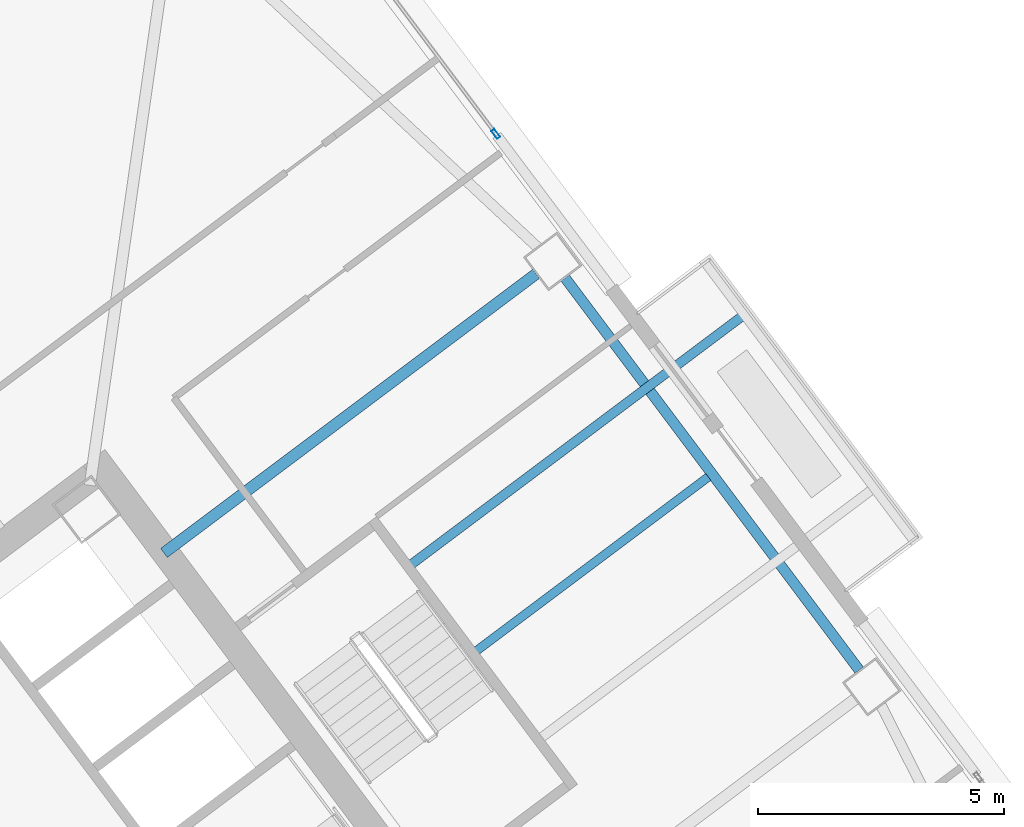
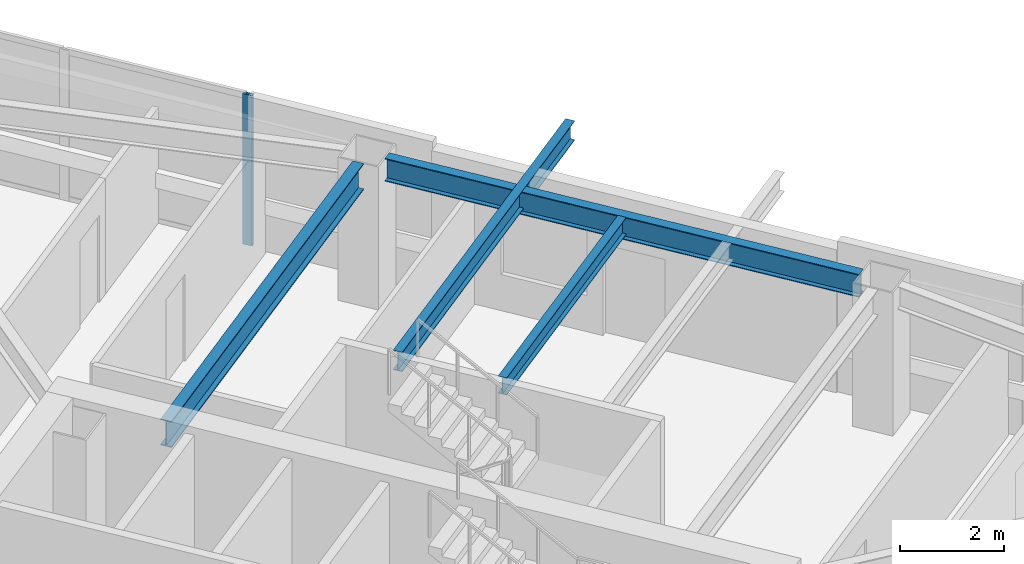
# One storey, part 30 of 44: 4 beams, 1 member, 1 element without a shape of its own.
"""IFC4 building model written with IfcOpenShell, lengths in metres."""

from ifc_helpers import new_model, si_unit, direction, frame, origin, origin_2d, place, context, subcontext, project, spatial, hollow_rectangle, i_section, extrude, material, material_profile, profile_set, type_object, element, aggregate, save


model = new_model("IFC4")

# Units and contexts
model_context = context("Model", 3, precision=1e-05, world=origin(), true_north=direction((0.0, 1.0)))
body_context = subcontext(model_context, "Body", "Model", "MODEL_VIEW")
ifc_project = project(units=[si_unit("LENGTHUNIT", "METRE"), si_unit("AREAUNIT", "SQUARE_METRE"), si_unit("VOLUMEUNIT", "CUBIC_METRE"), si_unit("PLANEANGLEUNIT", "RADIAN"), si_unit("MASSUNIT", "GRAM", prefix="KILO")], contexts=[model_context])

# Site, building, storey
site_placement = place(None, origin())
site = spatial("IfcSite", under=ifc_project, at=site_placement, CompositionType="ELEMENT")
building_placement = place(site_placement, origin())
building = spatial("IfcBuilding", under=site, at=building_placement, Name="Tashvorn Skyway Center", CompositionType="ELEMENT")
storey_placement = place(building_placement, frame((0.0, 0.0, 128.60009765625)))
storey = spatial("IfcBuildingStorey", under=building, at=storey_placement, Name="L34", CompositionType="ELEMENT", Elevation=128.60009765625)

# Beams
ifc_material_1 = material(Name="Steel ASTM A992 Grade 50", Category="steel")
ifc_material_profile_1 = material_profile(ifc_material_1, i_section(OverallWidth=0.22998046875, OverallDepth=0.616943359375, WebThickness=0.01318359375, FlangeThickness=0.022216796875, at=origin_2d()), Name="W24X94")
ifc_profile_set_1 = profile_set([ifc_material_profile_1], Name="Steel ASTM A992 Grade 50")
beam_type_1 = type_object("IfcBeamType", Name="BM-BEAM-W24X94", PredefinedType="BEAM", material=ifc_profile_set_1)
beam_1_placement = place(storey_placement, frame((124.5439453125, 46.657958984375, 3.0615234375), z_axis=(-0.800006200354, -0.599991732772, 0.0), x_axis=(0.599991732772, -0.800006200354, 0.0)))
element("IfcBeam", 1, at=beam_1_placement, inside=storey, type_object=beam_type_1, Name="Tower 2 L34 Primary Floor Girder FC-E2", PredefinedType="BEAM", context=body_context, shape_type="SweptSolid", body=[
    extrude(i_section(OverallWidth=0.22998046875, OverallDepth=0.616943359375, WebThickness=0.01318359375, FlangeThickness=0.022216796875, at=origin_2d()), origin(), (0.0, 0.0, 1.0), 9.449951171875),
])
ifc_material_profile_2 = material_profile(ifc_material_1, i_section(OverallWidth=0.177978515625, OverallDepth=0.406005859375, WebThickness=0.0078125, FlangeThickness=0.0126953125, at=origin_2d()), Name="W16X40")
ifc_profile_set_2 = profile_set([ifc_material_profile_2], Name="Steel ASTM A992 Grade 50")
beam_type_2 = type_object("IfcBeamType", Name="BM-JOIST-W16X40", PredefinedType="JOIST", material=ifc_profile_set_2)
beam_2_placement = place(storey_placement, frame((123.3359375, 39.001953125, 3.1669921875), z_axis=(0.8, 0.6, 0.0), x_axis=(-0.6, 0.8, 0.0)))
element("IfcBeam", 2, at=beam_2_placement, inside=storey, type_object=beam_type_2, Name="Tower 2 L34 Secondary Composite Joist JE", PredefinedType="JOIST", context=body_context, shape_type="SweptSolid", body=[
    extrude(i_section(OverallWidth=0.177978515625, OverallDepth=0.406005859375, WebThickness=0.0078125, FlangeThickness=0.0126953125, at=origin_2d()), origin(), (0.0, 0.0, 1.0), 5.882568359375),
])
ifc_material_profile_3 = material_profile(ifc_material_1, i_section(OverallWidth=0.19091796875, OverallDepth=0.4599609375, WebThickness=0.010009765625, FlangeThickness=0.01611328125, at=origin_2d()), Name="W18X55")
ifc_profile_set_3 = profile_set([ifc_material_profile_3], Name="Steel ASTM A992 Grade 50")
beam_type_3 = type_object("IfcBeamType", Name="BM-JOIST-W18X55", PredefinedType="JOIST", material=ifc_profile_set_3)
beam_3_placement = place(storey_placement, frame((122.01611328125, 40.761962890625, 3.139892578125), z_axis=(0.799989635456, 0.600013819143, 0.0), x_axis=(-0.600013819143, 0.799989635456, 0.0)))
element("IfcBeam", 3, at=beam_3_placement, inside=storey, type_object=beam_type_3, Name="Tower 2 L35 Terrace Cantilever Outlooker 2", PredefinedType="JOIST", context=body_context, shape_type="SweptSolid", body=[
    extrude(i_section(OverallWidth=0.19091796875, OverallDepth=0.4599609375, WebThickness=0.010009765625, FlangeThickness=0.01611328125, at=origin_2d()), origin(), (0.0, 0.0, 1.0), 8.47998046875),
])
ifc_material_profile_4 = material_profile(ifc_material_1, i_section(OverallWidth=0.2109375, OverallDepth=0.5390625, WebThickness=0.01171875, FlangeThickness=0.018798828125, at=origin_2d()), Name="W21X73")
ifc_profile_set_4 = profile_set([ifc_material_profile_4], Name="Steel ASTM A992 Grade 50")
beam_type_4 = type_object("IfcBeamType", Name="BM-SPANDREL-W21X73", PredefinedType="SPANDREL", material=ifc_profile_set_4)
beam_4_placement = place(storey_placement, frame((131.10791015625, 38.60595703125, 3.100341796875), z_axis=(-0.599988234018, 0.800008824351, 0.0), x_axis=(-0.800008824351, -0.599988234018, 0.0)))
element("IfcBeam", 4, at=beam_4_placement, inside=storey, type_object=beam_type_4, Name="Tower 2 L34 Spandrel Beam 05", PredefinedType="SPANDREL", context=body_context, shape_type="SweptSolid", body=[
    extrude(i_section(OverallWidth=0.2109375, OverallDepth=0.5390625, WebThickness=0.01171875, FlangeThickness=0.018798828125, at=origin_2d()), origin(), (0.0, 0.0, 1.0), 9.9599609375),
])

# Curtain wall, member
ifc_material_2 = material(Name="Thermally broken bronze-anodized aluminium 6063-T6", Category="aluminium")
curtain_wall_type = type_object("IfcCurtainWallType", Name="CW-CW-Z3", PredefinedType="NOTDEFINED", material=ifc_material_2)
curtain_wall_placement = place(storey_placement, origin())
curtain_wall = element("IfcCurtainWall", 5, at=curtain_wall_placement, inside=storey, type_object=curtain_wall_type, Name="Tower 2 L34 East Curtain Wall L Glazing Group 1", PredefinedType="NOTDEFINED")
ifc_material_profile_5 = material_profile(ifc_material_2, hollow_rectangle(XDim=0.074951171875, YDim=0.199951171875, WallThickness=0.00439453125, at=origin_2d()), Name="ALU-MULL-75x200")
ifc_profile_set_5 = profile_set([ifc_material_profile_5], Name="Thermally broken bronze-anodized aluminium 6063-T6")
member_type = type_object("IfcMemberType", Name="CWM-CW-Z3", PredefinedType="MULLION", material=ifc_profile_set_5)
member_placement = place(storey_placement, frame((123.7255859375, 49.499267578125, 0.0), z_axis=(0.0, 0.0, 1.0), x_axis=(0.800001547712, 0.599997936379, 0.0)))
member = element("IfcMember", 6, at=member_placement, type_object=member_type, Name="CW-Z3 mullion 3", PredefinedType="MULLION", context=body_context, shape_type="SweptSolid", body=[
    extrude(hollow_rectangle(XDim=0.074951171875, YDim=0.199951171875, WallThickness=0.00439453125, at=origin_2d()), origin(), (0.0, 0.0, 1.0), 3.5498046875),
])
aggregate(curtain_wall, [member])

save(model, "model.ifc")
